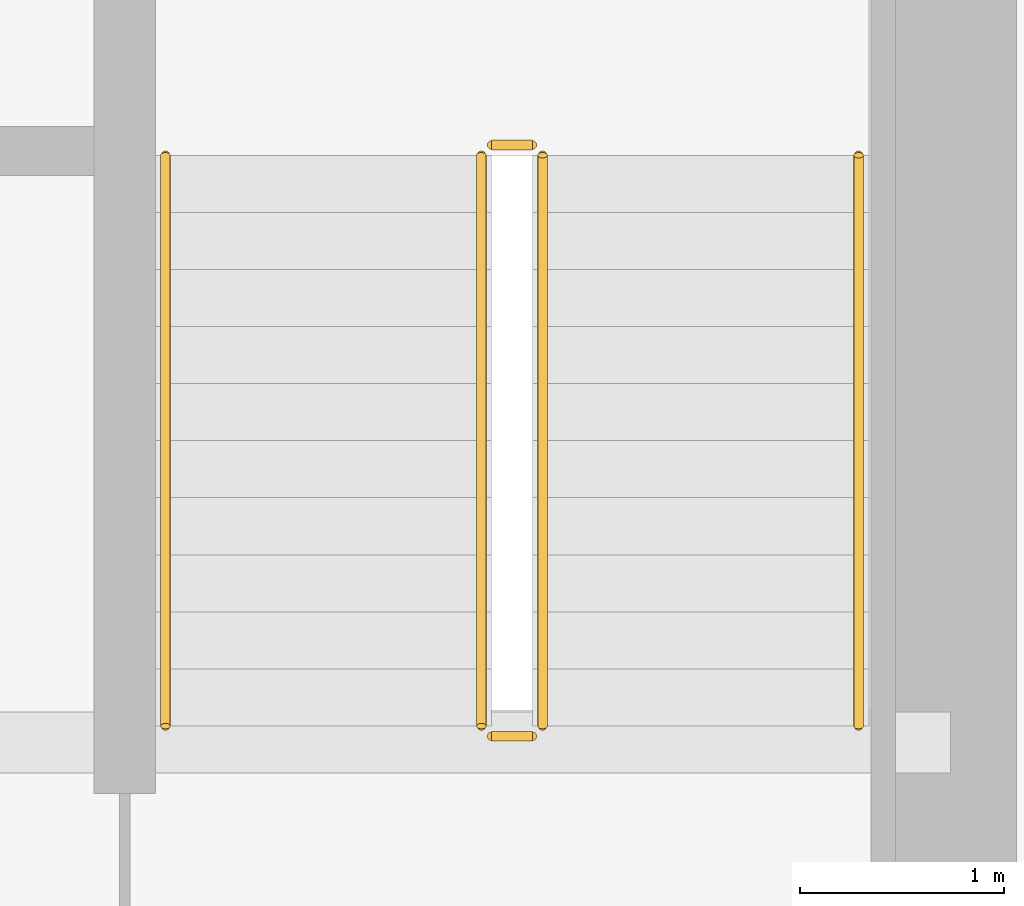
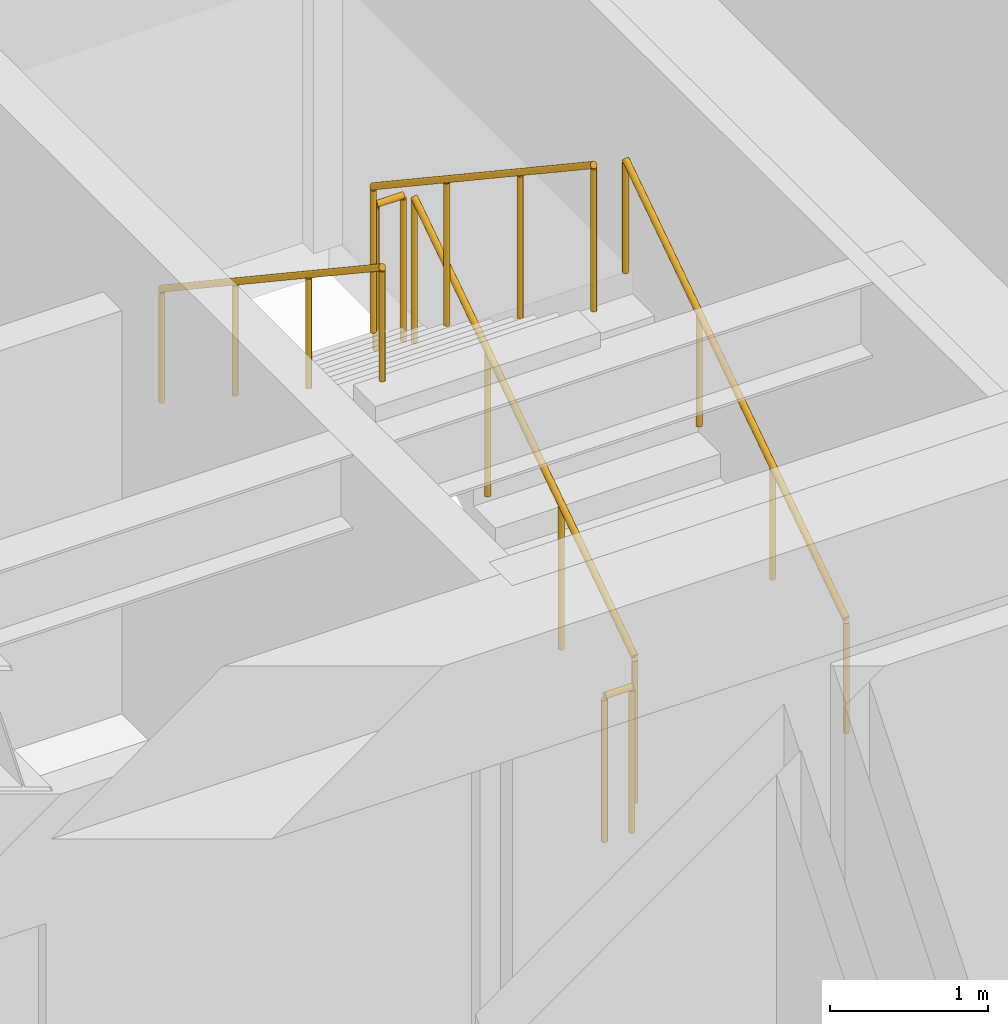
# One storey, part 30 of 30: 6 railings.
"""IFC4 building model written with IfcOpenShell, lengths in metres."""

from ifc_helpers import new_model, si_unit, direction, frame, origin, origin_2d, place, context, subcontext, project, spatial, circle, extrude, source, transform, mapped, material, type_object, type_shapes, element, save


model = new_model("IFC4")

# Units and contexts
model_context = context("Model", 3, precision=1e-05, world=origin(), true_north=direction((0.0, 1.0)))
body_context = subcontext(model_context, "Body", "Model", "MODEL_VIEW")
ifc_project = project(units=[si_unit("LENGTHUNIT", "METRE"), si_unit("AREAUNIT", "SQUARE_METRE"), si_unit("VOLUMEUNIT", "CUBIC_METRE"), si_unit("PLANEANGLEUNIT", "RADIAN"), si_unit("MASSUNIT", "GRAM", prefix="KILO")], contexts=[model_context])

# Site, building, storey
site_placement = place(None, origin())
site = spatial("IfcSite", under=ifc_project, at=site_placement, CompositionType="ELEMENT")
building_placement = place(site_placement, origin())
building = spatial("IfcBuilding", under=site, at=building_placement, Name="Haelvirn Gate Laboratories", CompositionType="ELEMENT")
storey_placement = place(building_placement, frame((0.0, 0.0, 125.60009765625)))
storey = spatial("IfcBuildingStorey", under=building, at=storey_placement, Name="L30", CompositionType="ELEMENT", Elevation=125.60009765625)

# Railings
ifc_material_1 = material(Name="Galvanised steel SM355 & stainless top rail", Category="steel")
railing_type_1 = type_object("IfcRailingType", Name="RL-GUARD-1150", PredefinedType="GUARDRAIL", material=ifc_material_1)
shared_shape_1 = source(origin(), body_context, "Body", "SweptSolid", [
    extrude(circle(Radius=0.02392578125, at=origin_2d()), frame((0.0, 0.0, 1.1259765625), z_axis=(0.0, 0.832485552168, 0.554046753832), x_axis=(-1.0, 0.0, 0.0)), (0.0, 0.0, 1.0), 3.363525390625),
    extrude(circle(Radius=0.02099609375, at=origin_2d()), origin(), (0.0, 0.0, 1.0), 1.101806640625),
    extrude(circle(Radius=0.02099609375, at=origin_2d()), frame((0.0, 0.933349609375, 0.62109375)), (0.0, 0.0, 1.0), 1.101806640625),
    extrude(circle(Radius=0.02099609375, at=origin_2d()), frame((0.0, 1.86669921875, 1.242431640625)), (0.0, 0.0, 1.0), 1.101806640625),
    extrude(circle(Radius=0.02099609375, at=origin_2d()), frame((0.0, 2.800048828125, 1.863525390625)), (0.0, 0.0, 1.0), 1.101806640625),
])
railing_1_placement = place(storey_placement, frame((65.39990234375, 26.699951171875, 0.186279296875)))
element("IfcRailing", 1, at=railing_1_placement, inside=storey, type_object=railing_type_1, Name="L30 ST2 stair guard 1", PredefinedType="GUARDRAIL", context=body_context, shape_type="MappedRepresentation", body=[
    mapped(shared_shape_1, transform((0.0, 0.0, 0.0), scale=1.0)),
])
ifc_material_2 = material(Name="Brushed stainless steel 316L", Category="steel")
railing_type_2 = type_object("IfcRailingType", Name="RL-HAND-920", PredefinedType="HANDRAIL", material=ifc_material_2)
shared_shape_2 = source(origin(), body_context, "Body", "SweptSolid", [
    extrude(circle(Radius=0.02392578125, at=origin_2d()), frame((0.0, 0.0, 0.8759765625), z_axis=(0.0, 0.832485552168, 0.554046753832), x_axis=(-1.0, 0.0, 0.0)), (0.0, 0.0, 1.0), 3.363525390625),
    extrude(circle(Radius=0.02099609375, at=origin_2d()), origin(), (0.0, 0.0, 1.0), 0.851806640625),
    extrude(circle(Radius=0.02099609375, at=origin_2d()), frame((0.0, 0.933349609375, 0.62109375)), (0.0, 0.0, 1.0), 0.851806640625),
    extrude(circle(Radius=0.02099609375, at=origin_2d()), frame((0.0, 1.86669921875, 1.242431640625)), (0.0, 0.0, 1.0), 0.851806640625),
    extrude(circle(Radius=0.02099609375, at=origin_2d()), frame((0.0, 2.800048828125, 1.863525390625)), (0.0, 0.0, 1.0), 0.851806640625),
])
railing_2_placement = place(storey_placement, frame((66.949951171875, 26.699951171875, 0.186279296875)))
element("IfcRailing", 2, at=railing_2_placement, inside=storey, type_object=railing_type_2, Name="L30 ST2 stair handrail 1", PredefinedType="HANDRAIL", context=body_context, shape_type="MappedRepresentation", body=[
    mapped(shared_shape_2, transform((0.0, 0.0, 0.0), scale=1.0)),
])
shared_shape_3 = source(origin(), body_context, "Body", "SweptSolid", [
    extrude(circle(Radius=0.02392578125, at=origin_2d()), frame((0.0, 0.0, 1.1259765625), z_axis=(0.0, -0.832485552168, 0.554046753832), x_axis=(1.0, 0.0, 0.0)), (0.0, 0.0, 1.0), 3.363525390625),
    extrude(circle(Radius=0.02099609375, at=origin_2d()), origin(), (0.0, 0.0, 1.0), 1.101806640625),
    extrude(circle(Radius=0.02099609375, at=origin_2d()), frame((0.0, -0.933349609375, 0.62109375)), (0.0, 0.0, 1.0), 1.101806640625),
    extrude(circle(Radius=0.02099609375, at=origin_2d()), frame((0.0, -1.86669921875, 1.242431640625)), (0.0, 0.0, 1.0), 1.101806640625),
    extrude(circle(Radius=0.02099609375, at=origin_2d()), frame((0.0, -2.800048828125, 1.863525390625)), (0.0, 0.0, 1.0), 1.101806640625),
])
railing_3_placement = place(storey_placement, frame((65.10009765625, 29.5, 2.236328125)))
element("IfcRailing", 3, at=railing_3_placement, inside=storey, type_object=railing_type_1, Name="L30 ST2 stair guard 3", PredefinedType="GUARDRAIL", context=body_context, shape_type="MappedRepresentation", body=[
    mapped(shared_shape_3, transform((0.0, 0.0, 0.0), scale=1.0)),
])
shared_shape_4 = source(origin(), body_context, "Body", "SweptSolid", [
    extrude(circle(Radius=0.02392578125, at=origin_2d()), frame((0.0, 0.0, 0.8759765625), z_axis=(0.0, -0.832485552168, 0.554046753832), x_axis=(1.0, 0.0, 0.0)), (0.0, 0.0, 1.0), 3.363525390625),
    extrude(circle(Radius=0.02099609375, at=origin_2d()), origin(), (0.0, 0.0, 1.0), 0.851806640625),
    extrude(circle(Radius=0.02099609375, at=origin_2d()), frame((0.0, -0.933349609375, 0.62109375)), (0.0, 0.0, 1.0), 0.851806640625),
    extrude(circle(Radius=0.02099609375, at=origin_2d()), frame((0.0, -1.86669921875, 1.242431640625)), (0.0, 0.0, 1.0), 0.851806640625),
    extrude(circle(Radius=0.02099609375, at=origin_2d()), frame((0.0, -2.800048828125, 1.863525390625)), (0.0, 0.0, 1.0), 0.851806640625),
])
type_shapes(railing_type_2, [shared_shape_2, shared_shape_4])
railing_4_placement = place(storey_placement, frame((63.550048828125, 29.5, 2.236328125)))
element("IfcRailing", 4, at=railing_4_placement, inside=storey, type_object=railing_type_2, Name="L30 ST2 stair handrail 2", PredefinedType="HANDRAIL", context=body_context, shape_type="MappedRepresentation", body=[
    mapped(shared_shape_4, transform((0.0, 0.0, 0.0), scale=1.0)),
])
shared_shape_5 = source(origin(), body_context, "Body", "SweptSolid", [
    extrude(circle(Radius=0.02392578125, at=origin_2d()), frame((0.0, 0.0, 1.1259765625), z_axis=(-1.0, 0.0, 0.0), x_axis=(0.0, -1.0, 0.0)), (0.0, 0.0, 1.0), 0.2001953125),
    extrude(circle(Radius=0.02099609375, at=origin_2d()), origin(), (0.0, 0.0, 1.0), 1.101806640625),
    extrude(circle(Radius=0.02099609375, at=origin_2d()), frame((-0.2001953125, 0.0, 0.0)), (0.0, 0.0, 1.0), 1.101806640625),
])
type_shapes(railing_type_1, [shared_shape_1, shared_shape_3, shared_shape_5])
for number, where, name in (
    (5, (65.35009765625, 29.550048828125, 2.0498046875), "L30 ST2 stair guard 2"),
    (6, (65.35009765625, 26.64990234375, 0.0), "L30 ST2 stair guard 4"),
):
    element("IfcRailing", number, at=place(storey_placement, frame(where)), inside=storey, type_object=railing_type_1, Name=name, PredefinedType="GUARDRAIL", context=body_context, shape_type="MappedRepresentation", body=[
        mapped(shared_shape_5, transform((0.0, 0.0, 0.0), scale=1.0)),
    ])

save(model, "model.ifc")
